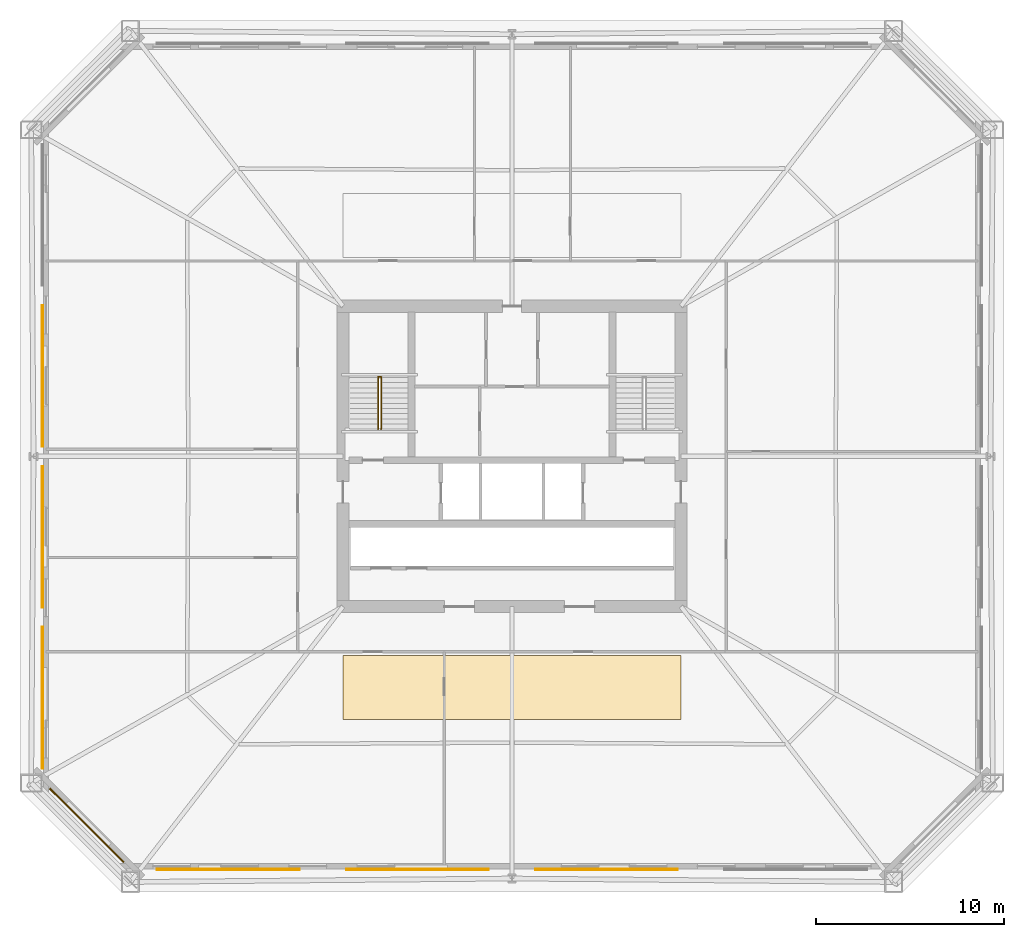
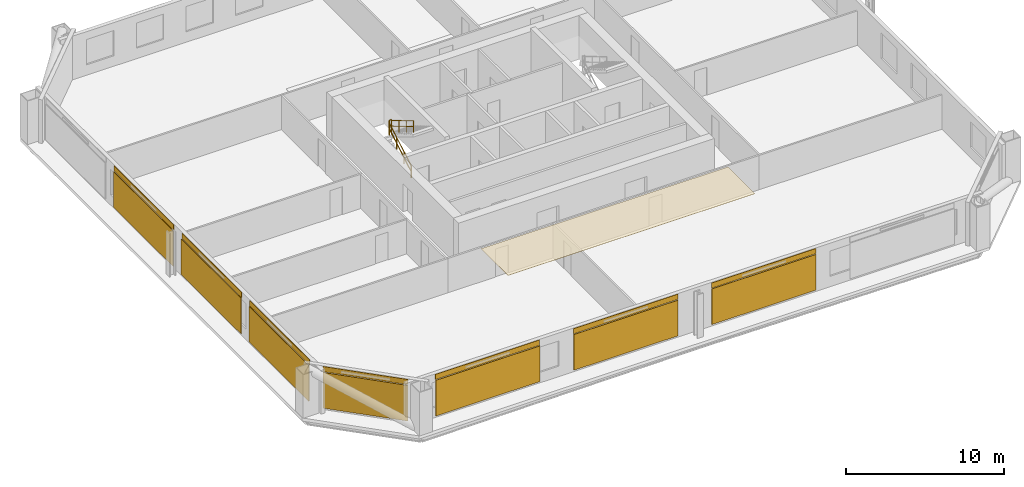
# One storey, part 9 of 11: 8 coverings, 7 shading devices, 3 railings.
"""IFC4 building model written with IfcOpenShell, lengths in metres."""

import ifcopenshell
import ifcopenshell.guid

model = None  # the IFC model being written
_history = None  # IfcOwnerHistory: only IFC2X3 demands one
_inside = {}  # id of a spatial element -> (the spatial element, [elements in it])
_under = {}  # id of a project, library or spatial element -> (it, [spatial elements below it])
_declared = {}  # id of a project -> (the project, [libraries it declares])
_typed = {}  # id of a type object -> (the type object, [elements of that type])
_made_of = {}  # id of a material, layer set ... -> (it, [elements and type objects made of it])


def new_model(schema):
    """Start an empty IFC model of exactly this schema.

    Asked for "IFC4X3", IfcOpenShell would pick the latest addendum, in which some entities
    have other attributes; the version numbers below select the first issue.
    IFC2X3 requires an IfcOwnerHistory on every rooted entity: one is made here for all.
    """
    global model, _history
    if schema == "IFC4X3":
        model = ifcopenshell.file(schema_version=(4, 3, 0, 0))
    else:
        model = ifcopenshell.file(schema=schema)
    _inside.clear()
    _under.clear()
    _declared.clear()
    _typed.clear()
    _made_of.clear()
    _history = None
    if model.schema == "IFC2X3":
        org = make("IfcOrganization", Name="unknown")
        user = make(
            "IfcPersonAndOrganization",
            ThePerson=make("IfcPerson", FamilyName="unknown"),
            TheOrganization=org,
        )
        app = make(
            "IfcApplication",
            ApplicationDeveloper=org,
            Version="unknown",
            ApplicationFullName="unknown",
            ApplicationIdentifier="unknown",
        )
        _history = make(
            "IfcOwnerHistory",
            OwningUser=user,
            OwningApplication=app,
            ChangeAction="ADDED",
            CreationDate=0,
        )
    return model


def make(cls, **values):
    """One entity of the class cls with the attributes given. An attribute that is None is left unset."""
    return model.create_entity(
        cls, **{name: value for name, value in values.items() if value is not None}
    )


def rooted(cls, **values):
    """An entity with a GlobalId (a new one), such as an element, a storey or a relation."""
    return make(cls, GlobalId=ifcopenshell.guid.new(), OwnerHistory=_history, **values)


def si_unit(unit_type, name, prefix=None):
    """IfcSIUnit, for example si_unit("LENGTHUNIT", "METRE", prefix="MILLI")."""
    return make("IfcSIUnit", UnitType=unit_type, Prefix=prefix, Name=name)


def assignment(units):
    """IfcUnitAssignment: the units of a project."""
    return None if units is None else make("IfcUnitAssignment", Units=units)


def point(xyz):
    """IfcCartesianPoint."""
    return None if xyz is None else make("IfcCartesianPoint", Coordinates=xyz)


def direction(xyz):
    """IfcDirection."""
    return None if xyz is None else make("IfcDirection", DirectionRatios=xyz)


def frame(location, z_axis=None, x_axis=None):
    """IfcAxis2Placement3D, a coordinate frame: its origin and axes. An axis left out is left unset."""
    return make(
        "IfcAxis2Placement3D",
        Location=point(location),
        Axis=direction(z_axis),
        RefDirection=direction(x_axis),
    )


def frame_2d(location, x_axis=None):
    """IfcAxis2Placement2D, a coordinate frame in the plane: its origin and x axis."""
    return make(
        "IfcAxis2Placement2D", Location=point(location), RefDirection=direction(x_axis)
    )


def origin():
    """The frame at (0, 0, 0) with its axes left unset."""
    return frame((0.0, 0.0, 0.0))


def origin_2d():
    """The frame at (0, 0) in the plane with its x axis left unset."""
    return frame_2d((0.0, 0.0))


def place(relative_to, where):
    """IfcLocalPlacement: puts the frame where relative to a parent placement (None: the world)."""
    return make(
        "IfcLocalPlacement", PlacementRelTo=relative_to, RelativePlacement=where
    )


def context(
    kind, dimensions, precision=None, world=None, true_north=None, identifier=None
):
    """IfcGeometricRepresentationContext, for example the 3D "Model" context."""
    return make(
        "IfcGeometricRepresentationContext",
        ContextIdentifier=identifier,
        ContextType=kind,
        CoordinateSpaceDimension=dimensions,
        Precision=precision,
        WorldCoordinateSystem=world,
        TrueNorth=true_north,
    )


def subcontext(parent, identifier, kind, view, scale=None):
    """IfcGeometricRepresentationSubContext, for example "Body" below "Model"."""
    return make(
        "IfcGeometricRepresentationSubContext",
        ContextIdentifier=identifier,
        ContextType=kind,
        ParentContext=parent,
        TargetScale=scale,
        TargetView=view,
    )


def project(units=None, contexts=None):
    """IfcProject with its units and contexts."""
    return rooted(
        "IfcProject",
        Name="project",
        RepresentationContexts=contexts,
        UnitsInContext=assignment(units),
    )


def spatial(cls, under=None, at=None, **own):
    """A site, building, storey or space (cls), placed at a placement, below another one or the project."""
    s = rooted(cls, ObjectPlacement=at, **own)
    if under is not None:
        _under.setdefault(under.id(), (under, []))[1].append(s)
    return s


def polyline(points):
    """IfcPolyline through the points."""
    return make("IfcPolyline", Points=[point(p) for p in points])


def profile(cls, at=None, kind="AREA", **sizes):
    """A parametric profile (cls). Its sizes go by their IFC names, for example OverallWidth=200.0."""
    return make(cls, ProfileType=kind, Position=at, **sizes)


def rectangle(**sizes):
    """IfcRectangleProfileDef."""
    return profile("IfcRectangleProfileDef", **sizes)


def circle(**sizes):
    """IfcCircleProfileDef."""
    return profile("IfcCircleProfileDef", **sizes)


def outline(outer, holes=None, kind="AREA"):
    """IfcArbitraryClosedProfileDef: a profile drawn as a closed curve; with holes, ...WithVoids."""
    if holes is None:
        return make("IfcArbitraryClosedProfileDef", ProfileType=kind, OuterCurve=outer)
    return make(
        "IfcArbitraryProfileDefWithVoids",
        ProfileType=kind,
        OuterCurve=outer,
        InnerCurves=holes,
    )


def extrude(swept, where, along, depth):
    """IfcExtrudedAreaSolid: the profile swept, set in the frame where, extruded along a direction by depth."""
    return make(
        "IfcExtrudedAreaSolid",
        SweptArea=swept,
        Position=where,
        ExtrudedDirection=direction(along),
        Depth=depth,
    )


def shape(context_of_items, identifier, shape_type, items):
    """IfcShapeRepresentation: the items that make up one representation, for example the "Body"."""
    return make(
        "IfcShapeRepresentation",
        ContextOfItems=context_of_items,
        RepresentationIdentifier=identifier,
        RepresentationType=shape_type,
        Items=items,
    )


def material(Name=None, Category=None):
    """IfcMaterial."""
    return make("IfcMaterial", Name=Name, Category=Category)


def layer(
    of_material, thickness, ventilated=None, Name=None, Category=None, Priority=None
):
    """IfcMaterialLayer: one layer of a wall or slab, of a material (None: an air gap)."""
    return make(
        "IfcMaterialLayer",
        Material=of_material,
        LayerThickness=thickness,
        IsVentilated=ventilated,
        Name=Name,
        Category=Category,
        Priority=Priority,
    )


def layer_set(layers, Name=None):
    """IfcMaterialLayerSet."""
    return make("IfcMaterialLayerSet", MaterialLayers=layers, LayerSetName=Name)


def made_of(thing, what):
    """Note that an element or type object is made of a material, layer set ...; save() writes the relation."""
    if what is not None:
        _made_of.setdefault(what.id(), (what, []))[1].append(thing)
    return thing


def type_object(cls, material=None, **own):
    """A type object (cls), such as IfcWallType, which elements share."""
    return made_of(rooted(cls, **own), material)


def element(
    cls,
    number,
    at=None,
    inside=None,
    cuts=None,
    type_object=None,
    material=None,
    context=None,
    identifier="Body",
    shape_type=None,
    held_by="IfcProductDefinitionShape",
    body=None,
    shapes=None,
    **own,
):
    """One element of the class cls, such as IfcWall. Its Tag is "e" and its number.

    at: its placement. inside: the storey or other place that contains it. cuts: it is an
    opening in that element (IfcRelVoidsElement). A single representation is given by context,
    identifier, shape_type and body (its items); several are given by shapes. held_by: the class
    of the entity that holds the representations. save() writes the other relations.
    """
    e = rooted(cls, Tag="e%d" % number, ObjectPlacement=at, **own)
    if body is not None:
        shapes = [shape(context, identifier, shape_type, body)]
    if shapes is not None:
        e.Representation = make(held_by, Representations=shapes)
    if inside is not None:
        _inside.setdefault(inside.id(), (inside, []))[1].append(e)
    if cuts is not None:
        rooted(
            "IfcRelVoidsElement", RelatingBuildingElement=cuts, RelatedOpeningElement=e
        )
    if type_object is not None:
        _typed.setdefault(type_object.id(), (type_object, []))[1].append(e)
    return made_of(e, material)


def aggregate(whole, parts):
    """IfcRelAggregates: a whole, such as a stair, and the parts it consists of."""
    return rooted("IfcRelAggregates", RelatingObject=whole, RelatedObjects=parts)


def save(model, path):
    """Write the relations noted so far, then the file.

    IfcRelAggregates (storeys below a building ...), IfcRelContainedInSpatialStructure (elements
    in a storey), IfcRelDefinesByType, IfcRelAssociatesMaterial and IfcRelDeclares: one each for
    every whole, place, type object, material and project.
    """
    for whole, parts in _under.values():
        aggregate(whole, parts)
    for where, things in _inside.values():
        rooted(
            "IfcRelContainedInSpatialStructure",
            RelatedElements=things,
            RelatingStructure=where,
        )
    for kind, things in _typed.values():
        rooted("IfcRelDefinesByType", RelatedObjects=things, RelatingType=kind)
    for what, things in _made_of.values():
        rooted("IfcRelAssociatesMaterial", RelatedObjects=things, RelatingMaterial=what)
    for by, libraries in _declared.values():
        rooted("IfcRelDeclares", RelatingContext=by, RelatedDefinitions=libraries)
    model.write(path)


model = new_model("IFC4")

# Units and contexts
model_context = context("Model", 3, precision=1e-05, world=origin(), true_north=direction((0.0, 1.0)))
body_context = subcontext(model_context, "Body", "Model", "MODEL_VIEW")
ifc_project = project(units=[si_unit("LENGTHUNIT", "METRE"), si_unit("AREAUNIT", "SQUARE_METRE"), si_unit("VOLUMEUNIT", "CUBIC_METRE"), si_unit("PLANEANGLEUNIT", "RADIAN"), si_unit("MASSUNIT", "GRAM", prefix="KILO")], contexts=[model_context])

# Site, building, storey
site_placement = place(None, origin())
site = spatial("IfcSite", under=ifc_project, at=site_placement, CompositionType="ELEMENT")
building_placement = place(site_placement, origin())
building = spatial("IfcBuilding", under=site, at=building_placement, Name="Caelvoria Tower", CompositionType="ELEMENT")
storey_placement = place(building_placement, frame((0.0, 0.0, 74.800048828125)))
storey = spatial("IfcBuildingStorey", under=building, at=storey_placement, Name="L19", CompositionType="ELEMENT", Elevation=74.800048828125)

# Coverings
ifc_material_1 = material(Name="Acoustic Mineral Fibre Tile", Category="gypsum")
ifc_layer_1 = layer(ifc_material_1, 0.02490234375, Name="Acoustic Mineral Fibre Tile")
ifc_layer_set_1 = layer_set([ifc_layer_1], Name="Mineral-Fibre Acoustic Suspended Ceiling 25 - Acoustic Mineral Fibre Tile")
covering_type_1 = type_object("IfcCoveringType", Name="Mineral-Fibre Acoustic Suspended Ceiling 25", PredefinedType="CEILING", material=ifc_layer_set_1)
covering_1_placement = place(storey_placement, frame((0.0, 0.0, 2.635009765625)))
element("IfcCovering", 1, at=covering_1_placement, inside=storey, type_object=covering_type_1, Name="Suspended Acoustic Ceiling L19", PredefinedType="CEILING", context=body_context, shape_type="SweptSolid", body=[
    extrude(outline(polyline([(37.0, 18.0), (55.0, 18.0), (55.0, 21.39990234375), (37.0, 21.39990234375), (37.0, 18.0)])), origin(), (0.0, 0.0, 1.0), 0.02490234375),
])
ifc_material_2 = material(Name="Perforated Architectural Bronze Cladding Screen", Category="bronze")
ifc_layer_2 = layer(ifc_material_2, 0.0400390625, Name="Perforated Architectural Bronze Cladding Screen")
ifc_layer_set_2 = layer_set([ifc_layer_2], Name="Perforated Bronze Louvre Cladding Band 40 - Perforated Architectural Bronze Cladding Screen")
covering_type_2 = type_object("IfcCoveringType", Name="Perforated Bronze Louvre Cladding Band 40", PredefinedType="CLADDING", material=ifc_layer_set_2)
for number, where, z_axis, x_axis, name in (
    (2, (30.89501953125, 10.028076171875, 2.93994140625), (0.0, 0.0, 1.0), (1.0, 0.0, 0.0), "Perforated Bronze Screen Band L19-E0-00"),
    (3, (40.965087890625, 10.028076171875, 2.93994140625), (0.0, 0.0, 1.0), (1.0, 0.0, 0.0), "Perforated Bronze Screen Band L19-E0-01"),
    (4, (51.034912109375, 10.028076171875, 2.93994140625), (0.0, 0.0, 1.0), (1.0, 0.0, 0.0), "Perforated Bronze Screen Band L19-E0-02"),
):
    element("IfcCovering", number, at=place(storey_placement, frame(where, z_axis=z_axis, x_axis=x_axis)), inside=storey, type_object=covering_type_2, Name=name, PredefinedType="CLADDING", context=body_context, shape_type="SweptSolid", body=[
        extrude(rectangle(XDim=7.60009765625, YDim=0.0400390625, at=origin_2d()), origin(), (0.0, 0.0, 1.0), 0.39990234375),
    ])
for number, where, z_axis, x_axis, name in (
    (5, (21.028076171875, 36.284912109375, 2.93994140625), (0.0, 0.0, 1.0), (0.0, -1.0, 0.0), "Perforated Bronze Screen Band L19-E6-01"),
    (6, (21.028076171875, 27.715087890625, 2.93994140625), (0.0, 0.0, 1.0), (0.0, -1.0, 0.0), "Perforated Bronze Screen Band L19-E6-02"),
    (7, (21.028076171875, 19.14501953125, 2.93994140625), (0.0, 0.0, 1.0), (0.0, -1.0, 0.0), "Perforated Bronze Screen Band L19-E6-03"),
):
    element("IfcCovering", number, at=place(storey_placement, frame(where, z_axis=z_axis, x_axis=x_axis)), inside=storey, type_object=covering_type_2, Name=name, PredefinedType="CLADDING", context=body_context, shape_type="SweptSolid", body=[
        extrude(rectangle(XDim=7.54150390625, YDim=0.0400390625, at=origin_2d()), origin(), (0.0, 0.0, 1.0), 0.39990234375),
    ])
covering_2_placement = place(storey_placement, frame((23.368408203125, 12.368408203125, 2.93994140625), z_axis=(0.0, 0.0, 1.0), x_axis=(0.707106781187, -0.707106781187, 0.0)))
element("IfcCovering", 8, at=covering_2_placement, inside=storey, type_object=covering_type_2, Name="Perforated Bronze Screen Band L19-E7-00", PredefinedType="CLADDING", context=body_context, shape_type="SweptSolid", body=[
    extrude(rectangle(XDim=5.55859375, YDim=0.0400390625, at=origin_2d()), origin(), (0.0, 0.0, 1.0), 0.39990234375),
])

# Shading devices
ifc_material_3 = material(Name="Perforated Architectural Bronze Alloy Panel", Category="bronze")
ifc_layer_3 = layer(ifc_material_3, 0.044921875, Name="Perforated Architectural Bronze Alloy Panel")
ifc_layer_set_3 = layer_set([ifc_layer_3], Name="Perforated Bronze Solar Screen Panel SCREEN - Perforated Architectural Bronze Alloy Panel")
shading_device_type = type_object("IfcShadingDeviceType", Name="Perforated Bronze Solar Screen Panel SCREEN", PredefinedType="USERDEFINED", material=ifc_layer_set_3)
for number, where, z_axis, x_axis, name in (
    (9, (30.89501953125, 9.985107421875, 0.159912109375), (0.0, 0.0, 1.0), (1.0, 0.0, 0.0), "Perforated Bronze Solar Screen L19-E0-00"),
    (10, (40.965087890625, 9.985107421875, 0.159912109375), (0.0, 0.0, 1.0), (1.0, 0.0, 0.0), "Perforated Bronze Solar Screen L19-E0-01"),
    (11, (51.034912109375, 9.985107421875, 0.159912109375), (0.0, 0.0, 1.0), (1.0, 0.0, 0.0), "Perforated Bronze Solar Screen L19-E0-02"),
):
    element("IfcShadingDevice", number, at=place(storey_placement, frame(where, z_axis=z_axis, x_axis=x_axis)), inside=storey, type_object=shading_device_type, Name=name, ObjectType="SCREEN", PredefinedType="USERDEFINED", context=body_context, shape_type="SweptSolid", body=[
        extrude(rectangle(XDim=7.60009765625, YDim=0.044921875, at=origin_2d()), origin(), (0.0, 0.0, 1.0), 2.75),
    ])
for number, where, z_axis, x_axis, name in (
    (12, (20.985107421875, 36.284912109375, 0.159912109375), (0.0, 0.0, 1.0), (0.0, -1.0, 0.0), "Perforated Bronze Solar Screen L19-E6-01"),
    (13, (20.985107421875, 27.715087890625, 0.159912109375), (0.0, 0.0, 1.0), (0.0, -1.0, 0.0), "Perforated Bronze Solar Screen L19-E6-02"),
    (14, (20.985107421875, 19.14501953125, 0.159912109375), (0.0, 0.0, 1.0), (0.0, -1.0, 0.0), "Perforated Bronze Solar Screen L19-E6-03"),
):
    element("IfcShadingDevice", number, at=place(storey_placement, frame(where, z_axis=z_axis, x_axis=x_axis)), inside=storey, type_object=shading_device_type, Name=name, ObjectType="SCREEN", PredefinedType="USERDEFINED", context=body_context, shape_type="SweptSolid", body=[
        extrude(rectangle(XDim=7.54150390625, YDim=0.044921875, at=origin_2d()), origin(), (0.0, 0.0, 1.0), 2.75),
    ])
shading_device_placement = place(storey_placement, frame((23.337890625, 12.337890625, 0.159912109375), z_axis=(0.0, 0.0, 1.0), x_axis=(0.707106781187, -0.707106781187, 0.0)))
element("IfcShadingDevice", 15, at=shading_device_placement, inside=storey, type_object=shading_device_type, Name="Perforated Bronze Solar Screen L19-E7-00", ObjectType="SCREEN", PredefinedType="USERDEFINED", context=body_context, shape_type="SweptSolid", body=[
    extrude(rectangle(XDim=5.55859375, YDim=0.044921875, at=origin_2d()), origin(), (0.0, 0.0, 1.0), 2.75),
])

# Railings
ifc_material_4 = material(Name="Brushed Stainless Steel Tube", Category="steel")
railing_type_1 = type_object("IfcRailingType", Name="Stair Tubular Stainless Handrail 920", PredefinedType="HANDRAIL", material=ifc_material_4)
railing_1_placement = place(storey_placement, frame((38.8701171875, 33.449951171875, 0.16357421875)))
element("IfcRailing", 16, at=railing_1_placement, inside=storey, type_object=railing_type_1, Name="ST-01 Flight 1 Handrail L19", PredefinedType="HANDRAIL", context=body_context, shape_type="SweptSolid", body=[
    extrude(circle(Radius=0.02392578125, at=origin_2d()), frame((0.0, 0.0, 0.89599609375), z_axis=(0.0, 0.859351957796, 0.511384603436), x_axis=(-1.0, 0.0, 0.0)), (0.0, 0.0, 1.0), 3.2001953125),
    extrude(circle(Radius=0.02392578125, at=origin_2d()), frame((0.0, 0.0, 0.4599609375), z_axis=(0.0, 0.859351957796, 0.511384603436), x_axis=(-1.0, 0.0, 0.0)), (0.0, 0.0, 1.0), 3.2001953125),
    extrude(circle(Radius=0.02099609375, at=origin_2d()), origin(), (0.0, 0.0, 1.0), 0.871826171875),
    extrude(circle(Radius=0.02099609375, at=origin_2d()), frame((0.0, 0.916748046875, 0.54541015625)), (0.0, 0.0, 1.0), 0.871826171875),
    extrude(circle(Radius=0.02099609375, at=origin_2d()), frame((0.0, 1.833251953125, 1.091064453125)), (0.0, 0.0, 1.0), 0.871826171875),
    extrude(circle(Radius=0.02099609375, at=origin_2d()), frame((0.0, 2.75, 1.636474609375)), (0.0, 0.0, 1.0), 0.871826171875),
])
railing_2_placement = place(storey_placement, frame((39.030029296875, 36.199951171875, 1.963623046875)))
element("IfcRailing", 17, at=railing_2_placement, inside=storey, type_object=railing_type_1, Name="ST-01 Flight 2 Handrail L19", PredefinedType="HANDRAIL", context=body_context, shape_type="SweptSolid", body=[
    extrude(circle(Radius=0.02392578125, at=origin_2d()), frame((0.0, 0.0, 0.89599609375), z_axis=(0.0, -0.859385484447, 0.511328259656), x_axis=(1.0, 0.0, 0.0)), (0.0, 0.0, 1.0), 3.199951171875),
    extrude(circle(Radius=0.02392578125, at=origin_2d()), frame((0.0, 0.0, 0.4599609375), z_axis=(0.0, -0.859385484447, 0.511328259656), x_axis=(1.0, 0.0, 0.0)), (0.0, 0.0, 1.0), 3.199951171875),
    extrude(circle(Radius=0.02099609375, at=origin_2d()), origin(), (0.0, 0.0, 1.0), 0.871826171875),
    extrude(circle(Radius=0.02099609375, at=origin_2d()), frame((0.0, -0.916748046875, 0.54541015625)), (0.0, 0.0, 1.0), 0.871826171875),
    extrude(circle(Radius=0.02099609375, at=origin_2d()), frame((0.0, -1.833251953125, 1.0908203125)), (0.0, 0.0, 1.0), 0.871826171875),
    extrude(circle(Radius=0.02099609375, at=origin_2d()), frame((0.0, -2.75, 1.63623046875)), (0.0, 0.0, 1.0), 0.871826171875),
])
ifc_material_5 = material(Name="Brushed Stainless Steel Guardrail", Category="steel")
railing_type_2 = type_object("IfcRailingType", Name="Stair Well and Ramp Guardrail 1120", PredefinedType="GUARDRAIL", material=ifc_material_5)
railing_3_placement = place(storey_placement, frame((38.8701171875, 36.239990234375, 1.800048828125)))
element("IfcRailing", 18, at=railing_3_placement, inside=storey, type_object=railing_type_2, Name="ST-01 Half-Landing Well Guard L19", PredefinedType="GUARDRAIL", context=body_context, shape_type="SweptSolid", body=[
    extrude(circle(Radius=0.02392578125, at=origin_2d()), frame((0.0, 0.0, 1.09619140625), z_axis=(1.0, 0.0, 0.0), x_axis=(0.0, 1.0, 0.0)), (0.0, 0.0, 1.0), 0.159912109375),
    extrude(circle(Radius=0.02392578125, at=origin_2d()), frame((0.0, 0.0, 0.56005859375), z_axis=(1.0, 0.0, 0.0), x_axis=(0.0, 1.0, 0.0)), (0.0, 0.0, 1.0), 0.159912109375),
    extrude(circle(Radius=0.02099609375, at=origin_2d()), origin(), (0.0, 0.0, 1.0), 1.072021484375),
    extrude(circle(Radius=0.02099609375, at=origin_2d()), frame((0.159912109375, 0.0, 0.0)), (0.0, 0.0, 1.0), 1.072021484375),
])

save(model, "model.ifc")
